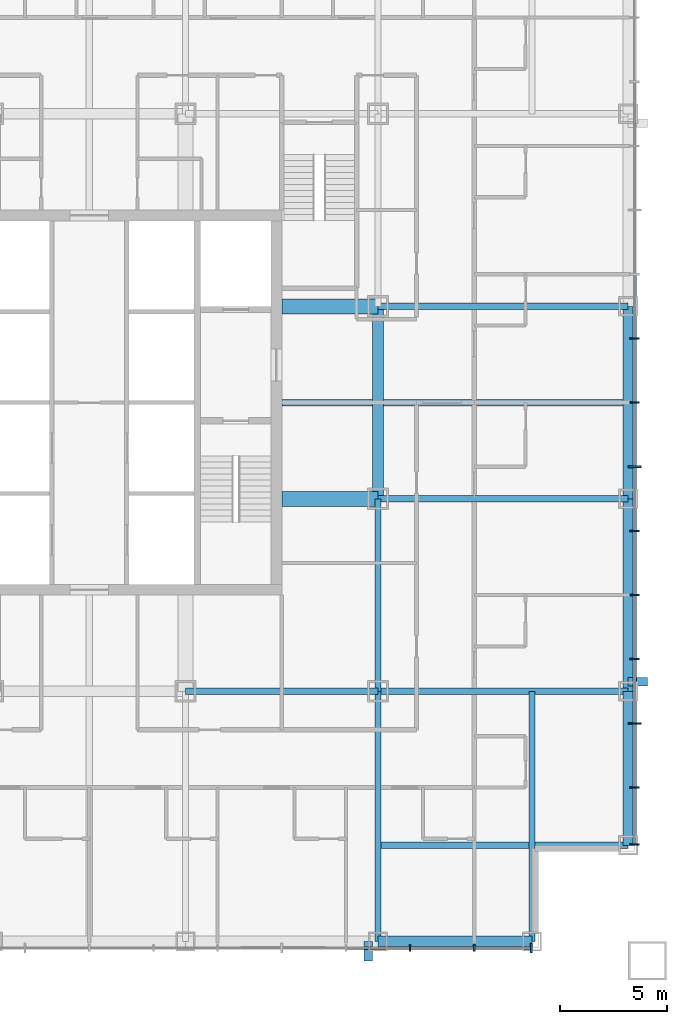
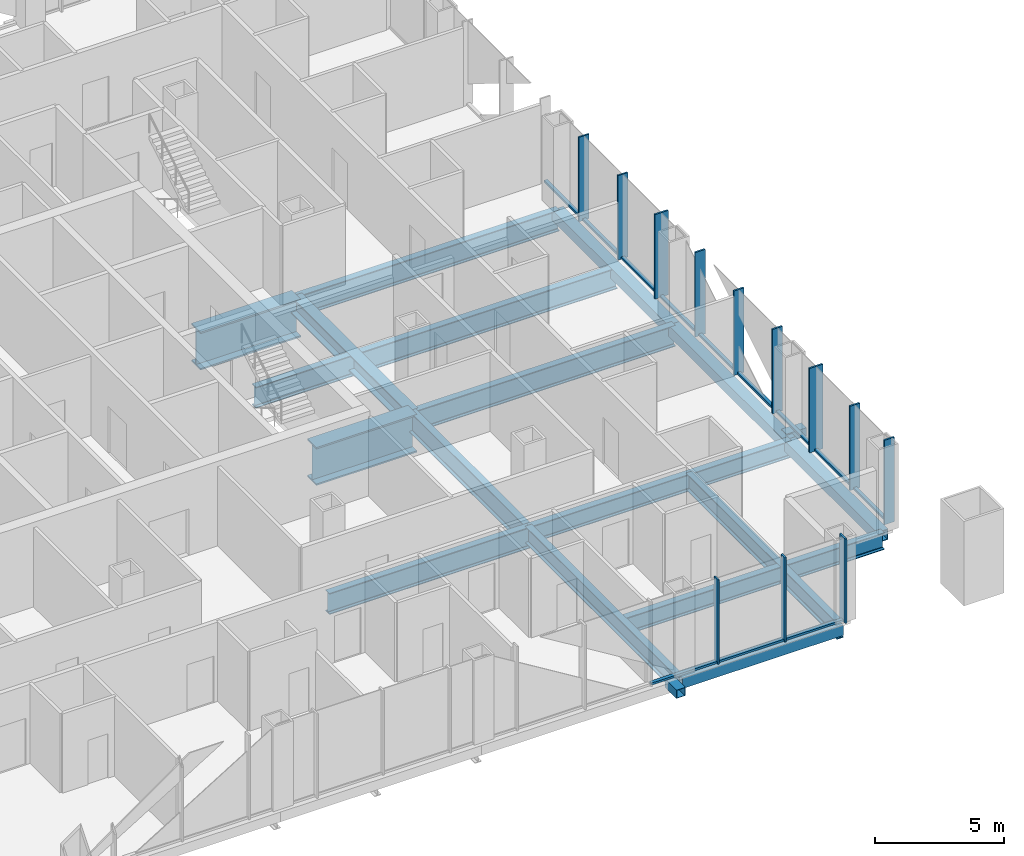
# One storey, part 3 of 14: 26 members, 16 beams, 2 elements without a shape of their own.
"""IFC4 building model written with IfcOpenShell, lengths in metres."""

from ifc_helpers import new_model, si_unit, direction, frame, origin, origin_2d, place, context, subcontext, project, spatial, rectangle, hollow_rectangle, i_section, extrude, material, layer, layer_set, material_profile, profile_set, type_object, element, aggregate, save


model = new_model("IFC4")

# Units and contexts
model_context = context("Model", 3, precision=1e-05, world=origin(), true_north=direction((0.0, 1.0)))
body_context = subcontext(model_context, "Body", "Model", "MODEL_VIEW")
ifc_project = project(units=[si_unit("LENGTHUNIT", "METRE"), si_unit("AREAUNIT", "SQUARE_METRE"), si_unit("VOLUMEUNIT", "CUBIC_METRE"), si_unit("PLANEANGLEUNIT", "RADIAN"), si_unit("MASSUNIT", "GRAM", prefix="KILO")], contexts=[model_context])

# Site, building, storey
site_placement = place(None, origin())
site = spatial("IfcSite", under=ifc_project, at=site_placement, CompositionType="ELEMENT")
building_placement = place(site_placement, origin())
building = spatial("IfcBuilding", under=site, at=building_placement, Name="Malebo Sky Hospital", CompositionType="ELEMENT")
storey_placement = place(building_placement, frame((0.0, 0.0, 71.0)))
storey = spatial("IfcBuildingStorey", under=building, at=storey_placement, Name="L16", CompositionType="ELEMENT", Elevation=71.0)

# Curtain wall, members
ifc_material_1 = material(Name="Anodised aluminium, natural silver", Category="aluminium")
ifc_layer_1 = layer(ifc_material_1, 0.25)
ifc_layer_set_1 = layer_set([ifc_layer_1], Name="WARD CURTAIN WALL NORTH AND SOUTH")
curtain_wall_type_1 = type_object("IfcCurtainWallType", Name="WARD CURTAIN WALL NORTH AND SOUTH", PredefinedType="NOTDEFINED", material=ifc_layer_set_1)
curtain_wall_1_placement = place(storey_placement, origin())
curtain_wall_1 = element("IfcCurtainWall", 1, at=curtain_wall_1_placement, inside=storey, type_object=curtain_wall_type_1, Name="NS curtain wall S", PredefinedType="NOTDEFINED")
ifc_material_profile_1 = material_profile(ifc_material_1, rectangle(XDim=0.14990234375, YDim=0.10009765625, at=origin_2d()), Name="ALUMINIUM TRANSOM 150x100")
ifc_profile_set_1 = profile_set([ifc_material_profile_1], Name="Anodised aluminium, natural silver")
member_type_1 = type_object("IfcMemberType", Name="ALUMINIUM TRANSOM 150x100", PredefinedType="USERDEFINED", material=ifc_profile_set_1)
member_1_placement = place(storey_placement, frame((80.625, 36.5, 0.050048828125), z_axis=(-1.0, 0.0, 0.0), x_axis=(0.0, -1.0, 0.0)))
member_1 = element("IfcMember", 2, at=member_1_placement, type_object=member_type_1, Name="Transom 1", ObjectType="TRANSOM", PredefinedType="USERDEFINED", context=body_context, shape_type="SweptSolid", body=[
    extrude(rectangle(XDim=0.14990234375, YDim=0.10009765625, at=origin_2d()), origin(), (0.0, 0.0, 1.0), 2.58740234375),
])
member_2_placement = place(storey_placement, frame((77.96240234375, 36.5, 0.050048828125), z_axis=(-1.0, 0.0, 0.0), x_axis=(0.0, -1.0, 0.0)))
member_2 = element("IfcMember", 3, at=member_2_placement, type_object=member_type_1, Name="Transom 2", ObjectType="TRANSOM", PredefinedType="USERDEFINED", context=body_context, shape_type="SweptSolid", body=[
    extrude(rectangle(XDim=0.14990234375, YDim=0.10009765625, at=origin_2d()), origin(), (0.0, 0.0, 1.0), 2.9248046875),
])
member_3_placement = place(storey_placement, frame((74.96240234375, 36.5, 0.050048828125), z_axis=(-1.0, 0.0, 0.0), x_axis=(0.0, -1.0, 0.0)))
member_3 = element("IfcMember", 4, at=member_3_placement, type_object=member_type_1, Name="Transom 3", ObjectType="TRANSOM", PredefinedType="USERDEFINED", context=body_context, shape_type="SweptSolid", body=[
    extrude(rectangle(XDim=0.14990234375, YDim=0.10009765625, at=origin_2d()), origin(), (0.0, 0.0, 1.0), 2.9248046875),
])

ifc_layer_2 = layer(ifc_material_1, 0.25)
ifc_layer_set_2 = layer_set([ifc_layer_2], Name="WARD CURTAIN WALL EAST AND WEST")
curtain_wall_type_2 = type_object("IfcCurtainWallType", Name="WARD CURTAIN WALL EAST AND WEST", PredefinedType="NOTDEFINED", material=ifc_layer_set_2)
curtain_wall_2_placement = place(storey_placement, origin())
curtain_wall_2 = element("IfcCurtainWall", 5, at=curtain_wall_2_placement, inside=storey, type_object=curtain_wall_type_2, Name="EW curtain wall E", PredefinedType="NOTDEFINED")
member_4_placement = place(storey_placement, frame((85.5, 67.96240234375, 0.050048828125), z_axis=(0.0, -1.0, 0.0), x_axis=(1.0, 0.0, 0.0)))
member_4 = element("IfcMember", 6, at=member_4_placement, type_object=member_type_1, Name="Transom 6", ObjectType="TRANSOM", PredefinedType="USERDEFINED", context=body_context, shape_type="SweptSolid", body=[
    extrude(rectangle(XDim=0.14990234375, YDim=0.10009765625, at=origin_2d()), origin(), (0.0, 0.0, 1.0), 2.9248046875),
])
member_5_placement = place(storey_placement, frame((85.5, 64.96240234375, 0.050048828125), z_axis=(0.0, -1.0, 0.0), x_axis=(1.0, 0.0, 0.0)))
member_5 = element("IfcMember", 7, at=member_5_placement, type_object=member_type_1, Name="Transom 7", ObjectType="TRANSOM", PredefinedType="USERDEFINED", context=body_context, shape_type="SweptSolid", body=[
    extrude(rectangle(XDim=0.14990234375, YDim=0.10009765625, at=origin_2d()), origin(), (0.0, 0.0, 1.0), 2.9248046875),
])
member_6_placement = place(storey_placement, frame((85.5, 61.96240234375, 0.050048828125), z_axis=(0.0, -1.0, 0.0), x_axis=(1.0, 0.0, 0.0)))
member_6 = element("IfcMember", 8, at=member_6_placement, type_object=member_type_1, Name="Transom 8", ObjectType="TRANSOM", PredefinedType="USERDEFINED", context=body_context, shape_type="SweptSolid", body=[
    extrude(rectangle(XDim=0.14990234375, YDim=0.10009765625, at=origin_2d()), origin(), (0.0, 0.0, 1.0), 2.9248046875),
])
member_7_placement = place(storey_placement, frame((85.5, 58.96240234375, 0.050048828125), z_axis=(0.0, -1.0, 0.0), x_axis=(1.0, 0.0, 0.0)))
member_7 = element("IfcMember", 9, at=member_7_placement, type_object=member_type_1, Name="Transom 9", ObjectType="TRANSOM", PredefinedType="USERDEFINED", context=body_context, shape_type="SweptSolid", body=[
    extrude(rectangle(XDim=0.14990234375, YDim=0.10009765625, at=origin_2d()), origin(), (0.0, 0.0, 1.0), 2.9248046875),
])
member_8_placement = place(storey_placement, frame((85.5, 55.96240234375, 0.050048828125), z_axis=(0.0, -1.0, 0.0), x_axis=(1.0, 0.0, 0.0)))
member_8 = element("IfcMember", 10, at=member_8_placement, type_object=member_type_1, Name="Transom 10", ObjectType="TRANSOM", PredefinedType="USERDEFINED", context=body_context, shape_type="SweptSolid", body=[
    extrude(rectangle(XDim=0.14990234375, YDim=0.10009765625, at=origin_2d()), origin(), (0.0, 0.0, 1.0), 2.9248046875),
])
member_9_placement = place(storey_placement, frame((85.5, 52.96240234375, 0.050048828125), z_axis=(0.0, -1.0, 0.0), x_axis=(1.0, 0.0, 0.0)))
member_9 = element("IfcMember", 11, at=member_9_placement, type_object=member_type_1, Name="Transom 11", ObjectType="TRANSOM", PredefinedType="USERDEFINED", context=body_context, shape_type="SweptSolid", body=[
    extrude(rectangle(XDim=0.14990234375, YDim=0.10009765625, at=origin_2d()), origin(), (0.0, 0.0, 1.0), 2.9248046875),
])
member_10_placement = place(storey_placement, frame((85.5, 49.96240234375, 0.050048828125), z_axis=(0.0, -1.0, 0.0), x_axis=(1.0, 0.0, 0.0)))
member_10 = element("IfcMember", 12, at=member_10_placement, type_object=member_type_1, Name="Transom 12", ObjectType="TRANSOM", PredefinedType="USERDEFINED", context=body_context, shape_type="SweptSolid", body=[
    extrude(rectangle(XDim=0.14990234375, YDim=0.10009765625, at=origin_2d()), origin(), (0.0, 0.0, 1.0), 2.9248046875),
])
member_11_placement = place(storey_placement, frame((85.5, 46.96240234375, 0.050048828125), z_axis=(0.0, -1.0, 0.0), x_axis=(1.0, 0.0, 0.0)))
member_11 = element("IfcMember", 13, at=member_11_placement, type_object=member_type_1, Name="Transom 13", ObjectType="TRANSOM", PredefinedType="USERDEFINED", context=body_context, shape_type="SweptSolid", body=[
    extrude(rectangle(XDim=0.14990234375, YDim=0.10009765625, at=origin_2d()), origin(), (0.0, 0.0, 1.0), 2.9248046875),
])
member_12_placement = place(storey_placement, frame((85.5, 43.96240234375, 0.050048828125), z_axis=(0.0, -1.0, 0.0), x_axis=(1.0, 0.0, 0.0)))
member_12 = element("IfcMember", 14, at=member_12_placement, type_object=member_type_1, Name="Transom 14", ObjectType="TRANSOM", PredefinedType="USERDEFINED", context=body_context, shape_type="SweptSolid", body=[
    extrude(rectangle(XDim=0.14990234375, YDim=0.10009765625, at=origin_2d()), origin(), (0.0, 0.0, 1.0), 2.58740234375),
])

# Members
ifc_material_2 = material(Name="Steel S355", Category="steel")
ifc_material_profile_2 = material_profile(ifc_material_2, hollow_rectangle(XDim=0.39990234375, YDim=0.39990234375, WallThickness=0.02001953125, at=origin_2d()), Name="SHS 400x20")
ifc_profile_set_2 = profile_set([ifc_material_profile_2], Name="Steel S355")
member_type_2 = type_object("IfcMemberType", Name="BRACE STRUT SHS 400x20", PredefinedType="STRUT", material=ifc_profile_set_2)
for number, where, z_axis, x_axis, name in (
    (15, (73.050048828125, 35.89990234375, -0.39990234375), (0.0, 1.0, 0.0), (-1.0, 0.0, 0.0), "Brace strut AS2 L16"),
    (16, (86.10009765625, 48.949951171875, -0.39990234375), (-1.0, 0.0, 0.0), (0.0, -1.0, 0.0), "Brace strut AE1 L16"),
):
    element("IfcMember", number, at=place(storey_placement, frame(where, z_axis=z_axis, x_axis=x_axis)), inside=storey, type_object=member_type_2, Name=name, PredefinedType="STRUT", context=body_context, shape_type="SweptSolid", body=[
        extrude(hollow_rectangle(XDim=0.39990234375, YDim=0.39990234375, WallThickness=0.02001953125, at=origin_2d()), origin(), (0.0, 0.0, 1.0), 0.900146484375),
    ])

# Member
ifc_material_profile_3 = material_profile(ifc_material_1, rectangle(XDim=0.074951171875, YDim=0.300048828125, at=origin_2d()), Name="CW1 ALUMINIUM FIN MULLION 75x300")
ifc_profile_set_3 = profile_set([ifc_material_profile_3], Name="Anodised aluminium, natural silver")
member_type_3 = type_object("IfcMemberType", Name="CW1 ALUMINIUM FIN MULLION 75x300", PredefinedType="MULLION", material=ifc_profile_set_3)
member_13_placement = place(storey_placement, frame((78.0, 36.5, 0.0), z_axis=(0.0, 0.0, 1.0), x_axis=(-1.0, 0.0, 0.0)))
member_13 = element("IfcMember", 17, at=member_13_placement, type_object=member_type_3, Name="Fin mullion 2", PredefinedType="MULLION", context=body_context, shape_type="SweptSolid", body=[
    extrude(rectangle(XDim=0.074951171875, YDim=0.300048828125, at=origin_2d()), origin(), (0.0, 0.0, 1.0), 4.0),
])

member_14_placement = place(storey_placement, frame((75.0, 36.5, 0.0), z_axis=(0.0, 0.0, 1.0), x_axis=(-1.0, 0.0, 0.0)))
member_14 = element("IfcMember", 18, at=member_14_placement, type_object=member_type_3, Name="Fin mullion 3", PredefinedType="MULLION", context=body_context, shape_type="SweptSolid", body=[
    extrude(rectangle(XDim=0.074951171875, YDim=0.300048828125, at=origin_2d()), origin(), (0.0, 0.0, 1.0), 4.0),
])

ifc_material_profile_4 = material_profile(ifc_material_1, rectangle(XDim=0.074951171875, YDim=0.449951171875, at=origin_2d()), Name="CW1 ALUMINIUM FIN MULLION 75x450")
ifc_profile_set_4 = profile_set([ifc_material_profile_4], Name="Anodised aluminium, natural silver")
member_type_4 = type_object("IfcMemberType", Name="CW1 ALUMINIUM FIN MULLION 75x450", PredefinedType="MULLION", material=ifc_profile_set_4)
member_15_placement = place(storey_placement, frame((80.66259765625, 36.5, 0.0), z_axis=(0.0, 0.0, 1.0), x_axis=(-1.0, 0.0, 0.0)))
member_15 = element("IfcMember", 19, at=member_15_placement, type_object=member_type_4, Name="Fin mullion 1", PredefinedType="MULLION", context=body_context, shape_type="SweptSolid", body=[
    extrude(rectangle(XDim=0.074951171875, YDim=0.449951171875, at=origin_2d()), origin(), (0.0, 0.0, 1.0), 4.0),
])

aggregate(curtain_wall_1, [member_15, member_13, member_14, member_1, member_2, member_3])

ifc_material_profile_5 = material_profile(ifc_material_1, rectangle(XDim=0.074951171875, YDim=0.449951171875, at=origin_2d()), Name="CW2 ALUMINIUM FIN MULLION 75x450")
ifc_profile_set_5 = profile_set([ifc_material_profile_5], Name="Anodised aluminium, natural silver")
member_type_5 = type_object("IfcMemberType", Name="CW2 ALUMINIUM FIN MULLION 75x450", PredefinedType="MULLION", material=ifc_profile_set_5)
member_16_placement = place(storey_placement, frame((85.5, 65.0, 0.0), z_axis=(0.0, 0.0, 1.0), x_axis=(0.0, -1.0, 0.0)))
member_16 = element("IfcMember", 20, at=member_16_placement, type_object=member_type_5, Name="Fin mullion 7", PredefinedType="MULLION", context=body_context, shape_type="SweptSolid", body=[
    extrude(rectangle(XDim=0.074951171875, YDim=0.449951171875, at=origin_2d()), origin(), (0.0, 0.0, 1.0), 4.0),
])

member_17_placement = place(storey_placement, frame((85.5, 62.0, 0.0), z_axis=(0.0, 0.0, 1.0), x_axis=(0.0, -1.0, 0.0)))
member_17 = element("IfcMember", 21, at=member_17_placement, type_object=member_type_5, Name="Fin mullion 8", PredefinedType="MULLION", context=body_context, shape_type="SweptSolid", body=[
    extrude(rectangle(XDim=0.074951171875, YDim=0.449951171875, at=origin_2d()), origin(), (0.0, 0.0, 1.0), 4.0),
])

member_18_placement = place(storey_placement, frame((85.5, 56.0, 0.0), z_axis=(0.0, 0.0, 1.0), x_axis=(0.0, -1.0, 0.0)))
member_18 = element("IfcMember", 22, at=member_18_placement, type_object=member_type_5, Name="Fin mullion 10", PredefinedType="MULLION", context=body_context, shape_type="SweptSolid", body=[
    extrude(rectangle(XDim=0.074951171875, YDim=0.449951171875, at=origin_2d()), origin(), (0.0, 0.0, 1.0), 4.0),
])

member_19_placement = place(storey_placement, frame((85.5, 53.0, 0.0), z_axis=(0.0, 0.0, 1.0), x_axis=(0.0, -1.0, 0.0)))
member_19 = element("IfcMember", 23, at=member_19_placement, type_object=member_type_5, Name="Fin mullion 11", PredefinedType="MULLION", context=body_context, shape_type="SweptSolid", body=[
    extrude(rectangle(XDim=0.074951171875, YDim=0.449951171875, at=origin_2d()), origin(), (0.0, 0.0, 1.0), 4.0),
])

member_20_placement = place(storey_placement, frame((85.5, 50.0, 0.0), z_axis=(0.0, 0.0, 1.0), x_axis=(0.0, -1.0, 0.0)))
member_20 = element("IfcMember", 24, at=member_20_placement, type_object=member_type_5, Name="Fin mullion 12", PredefinedType="MULLION", context=body_context, shape_type="SweptSolid", body=[
    extrude(rectangle(XDim=0.074951171875, YDim=0.449951171875, at=origin_2d()), origin(), (0.0, 0.0, 1.0), 4.0),
])

member_21_placement = place(storey_placement, frame((85.5, 44.0, 0.0), z_axis=(0.0, 0.0, 1.0), x_axis=(0.0, -1.0, 0.0)))
member_21 = element("IfcMember", 25, at=member_21_placement, type_object=member_type_5, Name="Fin mullion 14", PredefinedType="MULLION", context=body_context, shape_type="SweptSolid", body=[
    extrude(rectangle(XDim=0.074951171875, YDim=0.449951171875, at=origin_2d()), origin(), (0.0, 0.0, 1.0), 4.0),
])

member_22_placement = place(storey_placement, frame((85.5, 41.33740234375, 0.0), z_axis=(0.0, 0.0, 1.0), x_axis=(0.0, -1.0, 0.0)))
member_22 = element("IfcMember", 26, at=member_22_placement, type_object=member_type_5, Name="Fin mullion 15", PredefinedType="MULLION", context=body_context, shape_type="SweptSolid", body=[
    extrude(rectangle(XDim=0.074951171875, YDim=0.449951171875, at=origin_2d()), origin(), (0.0, 0.0, 1.0), 4.0),
])

ifc_material_profile_6 = material_profile(ifc_material_1, rectangle(XDim=0.074951171875, YDim=0.60009765625, at=origin_2d()), Name="CW2 ALUMINIUM FIN MULLION 75x600")
ifc_profile_set_6 = profile_set([ifc_material_profile_6], Name="Anodised aluminium, natural silver")
member_type_6 = type_object("IfcMemberType", Name="CW2 ALUMINIUM FIN MULLION 75x600", PredefinedType="MULLION", material=ifc_profile_set_6)
member_23_placement = place(storey_placement, frame((85.5, 59.0, 0.0), z_axis=(0.0, 0.0, 1.0), x_axis=(0.0, -1.0, 0.0)))
member_23 = element("IfcMember", 27, at=member_23_placement, type_object=member_type_6, Name="Fin mullion 9", PredefinedType="MULLION", context=body_context, shape_type="SweptSolid", body=[
    extrude(rectangle(XDim=0.074951171875, YDim=0.60009765625, at=origin_2d()), origin(), (0.0, 0.0, 1.0), 4.0),
])

member_24_placement = place(storey_placement, frame((85.5, 47.0, 0.0), z_axis=(0.0, 0.0, 1.0), x_axis=(0.0, -1.0, 0.0)))
member_24 = element("IfcMember", 28, at=member_24_placement, type_object=member_type_6, Name="Fin mullion 13", PredefinedType="MULLION", context=body_context, shape_type="SweptSolid", body=[
    extrude(rectangle(XDim=0.074951171875, YDim=0.60009765625, at=origin_2d()), origin(), (0.0, 0.0, 1.0), 4.0),
])

aggregate(curtain_wall_2, [member_16, member_17, member_23, member_18, member_19, member_20, member_24, member_21, member_22, member_4, member_5, member_6, member_7, member_8, member_9, member_10, member_11, member_12])

# Beams
ifc_material_3 = material(Name="Steel S460", Category="steel")
ifc_material_profile_7 = material_profile(ifc_material_3, hollow_rectangle(XDim=0.5, YDim=0.5, WallThickness=0.030029296875, at=origin_2d()), Name="BOX 500x500x30")
ifc_profile_set_7 = profile_set([ifc_material_profile_7], Name="Steel S460")
beam_type_1 = type_object("IfcBeamType", Name="EDGE BEAM BOX 500x500x30", PredefinedType="BEAM", material=ifc_profile_set_7)
beam_1_placement = place(storey_placement, frame((85.199951171875, 41.300048828125, -0.5), z_axis=(0.0, 1.0, 0.0), x_axis=(-1.0, 0.0, 0.0)))
element("IfcBeam", 29, at=beam_1_placement, inside=storey, type_object=beam_type_1, Name="Beam 029 L16", PredefinedType="BEAM", context=body_context, shape_type="SweptSolid", body=[
    extrude(hollow_rectangle(XDim=0.5, YDim=0.5, WallThickness=0.030029296875, at=origin_2d()), origin(), (0.0, 0.0, 1.0), 7.199951171875),
])
for number, where, z_axis, x_axis, name in (
    (30, (85.199951171875, 48.5, -0.5), (0.0, 1.0, 0.0), (-1.0, 0.0, 0.0), "Beam 030 L16"),
    (31, (85.199951171875, 57.5, -0.5), (0.0, 1.0, 0.0), (-1.0, 0.0, 0.0), "Beam 031 L16"),
):
    element("IfcBeam", number, at=place(storey_placement, frame(where, z_axis=z_axis, x_axis=x_axis)), inside=storey, type_object=beam_type_1, Name=name, PredefinedType="BEAM", context=body_context, shape_type="SweptSolid", body=[
        extrude(hollow_rectangle(XDim=0.5, YDim=0.5, WallThickness=0.030029296875, at=origin_2d()), origin(), (0.0, 0.0, 1.0), 9.0),
    ])
beam_2_placement = place(storey_placement, frame((73.5, 36.800048828125, -0.5), z_axis=(1.0, 0.0, 0.0), x_axis=(0.0, 1.0, 0.0)))
element("IfcBeam", 32, at=beam_2_placement, inside=storey, type_object=beam_type_1, Name="Beam 038 L16", PredefinedType="BEAM", context=body_context, shape_type="SweptSolid", body=[
    extrude(hollow_rectangle(XDim=0.5, YDim=0.5, WallThickness=0.030029296875, at=origin_2d()), origin(), (0.0, 0.0, 1.0), 7.199951171875),
])
ifc_material_profile_8 = material_profile(ifc_material_2, i_section(OverallWidth=0.300048828125, OverallDepth=1.0, WebThickness=0.01904296875, FlangeThickness=0.035888671875, FilletRadius=0.030029296875, at=origin_2d()), Name="HEB 1000")
ifc_profile_set_8 = profile_set([ifc_material_profile_8], Name="Steel S355")
beam_type_2 = type_object("IfcBeamType", Name="FLOOR BEAM HEB 1000", PredefinedType="BEAM", material=ifc_profile_set_8)
for number, where, z_axis, x_axis, name in (
    (33, (73.5, 48.5, -0.75), (0.0, 1.0, 0.0), (-1.0, 0.0, 0.0), "Beam 023 L16"),
    (34, (64.5, 48.5, -0.75), (1.0, 0.0, 0.0), (0.0, 1.0, 0.0), "Beam 044 L16"),
):
    element("IfcBeam", number, at=place(storey_placement, frame(where, z_axis=z_axis, x_axis=x_axis)), inside=storey, type_object=beam_type_2, Name=name, PredefinedType="BEAM", context=body_context, shape_type="SweptSolid", body=[
        extrude(i_section(OverallWidth=0.300048828125, OverallDepth=1.0, WebThickness=0.01904296875, FlangeThickness=0.035888671875, FilletRadius=0.030029296875, at=origin_2d()), origin(), (0.0, 0.0, 1.0), 9.0),
    ])
beam_3_placement = place(storey_placement, frame((73.5, 57.5, -0.75), z_axis=(1.0, 0.0, 0.0), x_axis=(0.0, 1.0, 0.0)))
element("IfcBeam", 35, at=beam_3_placement, inside=storey, type_object=beam_type_2, Name="Beam 049 L16", PredefinedType="BEAM", context=body_context, shape_type="SweptSolid", body=[
    extrude(i_section(OverallWidth=0.300048828125, OverallDepth=1.0, WebThickness=0.01904296875, FlangeThickness=0.035888671875, FilletRadius=0.030029296875, at=origin_2d()), origin(), (0.0, 0.0, 1.0), 11.699951171875),
])
beam_4_placement = place(storey_placement, frame((69.0, 62.0, -0.75), z_axis=(1.0, 0.0, 0.0), x_axis=(0.0, 1.0, 0.0)))
element("IfcBeam", 36, at=beam_4_placement, inside=storey, type_object=beam_type_2, Name="Beam 051 L16", PredefinedType="BEAM", context=body_context, shape_type="SweptSolid", body=[
    extrude(i_section(OverallWidth=0.300048828125, OverallDepth=1.0, WebThickness=0.01904296875, FlangeThickness=0.035888671875, FilletRadius=0.030029296875, at=origin_2d()), origin(), (0.0, 0.0, 1.0), 16.199951171875),
])
beam_5_placement = place(storey_placement, frame((73.5, 66.5, -0.75), z_axis=(1.0, 0.0, 0.0), x_axis=(0.0, 1.0, 0.0)))
element("IfcBeam", 37, at=beam_5_placement, inside=storey, type_object=beam_type_2, Name="Beam 055 L16", PredefinedType="BEAM", context=body_context, shape_type="SweptSolid", body=[
    extrude(i_section(OverallWidth=0.300048828125, OverallDepth=1.0, WebThickness=0.01904296875, FlangeThickness=0.035888671875, FilletRadius=0.030029296875, at=origin_2d()), origin(), (0.0, 0.0, 1.0), 11.699951171875),
])
ifc_material_profile_9 = material_profile(ifc_material_2, i_section(OverallWidth=0.300048828125, OverallDepth=0.800048828125, WebThickness=0.017578125, FlangeThickness=0.032958984375, FilletRadius=0.030029296875, at=origin_2d()), Name="HEB 800")
ifc_profile_set_9 = profile_set([ifc_material_profile_9], Name="Steel S355")
beam_type_3 = type_object("IfcBeamType", Name="FLOOR BEAM HEB 800", PredefinedType="BEAM", material=ifc_profile_set_9)
for number, where, z_axis, x_axis, name in (
    (38, (80.699951171875, 36.800048828125, -0.64990234375), (0.0, 1.0, 0.0), (-1.0, 0.0, 0.0), "Beam 027 L16"),
    (39, (73.5, 41.300048828125, -0.64990234375), (1.0, 0.0, 0.0), (0.0, 1.0, 0.0), "Beam 040 L16"),
):
    element("IfcBeam", number, at=place(storey_placement, frame(where, z_axis=z_axis, x_axis=x_axis)), inside=storey, type_object=beam_type_3, Name=name, PredefinedType="BEAM", context=body_context, shape_type="SweptSolid", body=[
        extrude(i_section(OverallWidth=0.300048828125, OverallDepth=0.800048828125, WebThickness=0.017578125, FlangeThickness=0.032958984375, FilletRadius=0.030029296875, at=origin_2d()), origin(), (0.0, 0.0, 1.0), 11.699951171875),
    ])
ifc_material_profile_10 = material_profile(ifc_material_2, i_section(OverallWidth=0.699951171875, OverallDepth=1.800048828125, WebThickness=0.034912109375, FlangeThickness=0.070068359375, at=origin_2d()), Name="PG 1800x700x35x70")
ifc_profile_set_10 = profile_set([ifc_material_profile_10], Name="Steel S355")
beam_type_4 = type_object("IfcBeamType", Name="FLOOR BEAM PG 1800x700x35x70", PredefinedType="BEAM", material=ifc_profile_set_10)
for number, where, z_axis, x_axis, name in (
    (40, (69.0, 57.5, -1.14990234375), (1.0, 0.0, 0.0), (0.0, 1.0, 0.0), "Beam 048 L16"),
    (41, (69.0, 66.5, -1.14990234375), (1.0, 0.0, 0.0), (0.0, 1.0, 0.0), "Beam 054 L16"),
):
    element("IfcBeam", number, at=place(storey_placement, frame(where, z_axis=z_axis, x_axis=x_axis)), inside=storey, type_object=beam_type_4, Name=name, PredefinedType="BEAM", context=body_context, shape_type="SweptSolid", body=[
        extrude(i_section(OverallWidth=0.699951171875, OverallDepth=1.800048828125, WebThickness=0.034912109375, FlangeThickness=0.070068359375, at=origin_2d()), origin(), (0.0, 0.0, 1.0), 4.5),
    ])
ifc_material_profile_11 = material_profile(ifc_material_2, i_section(OverallWidth=0.300048828125, OverallDepth=0.800048828125, WebThickness=0.017578125, FlangeThickness=0.032958984375, FilletRadius=0.030029296875, at=origin_2d()), Name="HEB 800")
ifc_profile_set_11 = profile_set([ifc_material_profile_11], Name="Steel S355")
beam_type_5 = type_object("IfcBeamType", Name="FLOOR GIRDER HEB 800", PredefinedType="BEAM", material=ifc_profile_set_11)
for number, where, z_axis, x_axis, name in (
    (42, (73.5, 36.800048828125, -0.64990234375), (0.0, 1.0, 0.0), (-1.0, 0.0, 0.0), "Beam 022 L16"),
    (43, (73.5, 48.5, -0.64990234375), (1.0, 0.0, 0.0), (0.0, 1.0, 0.0), "Beam 045 L16"),
):
    element("IfcBeam", number, at=place(storey_placement, frame(where, z_axis=z_axis, x_axis=x_axis)), inside=storey, type_object=beam_type_5, Name=name, PredefinedType="BEAM", context=body_context, shape_type="SweptSolid", body=[
        extrude(i_section(OverallWidth=0.300048828125, OverallDepth=0.800048828125, WebThickness=0.017578125, FlangeThickness=0.032958984375, FilletRadius=0.030029296875, at=origin_2d()), origin(), (0.0, 0.0, 1.0), 11.699951171875),
    ])
ifc_material_profile_12 = material_profile(ifc_material_2, i_section(OverallWidth=0.5, OverallDepth=0.800048828125, WebThickness=0.030029296875, FlangeThickness=0.050048828125, at=origin_2d()), Name="PG 800x500x30x50")
ifc_profile_set_12 = profile_set([ifc_material_profile_12], Name="Steel S355")
beam_type_6 = type_object("IfcBeamType", Name="RING GIRDER PG 800x500x30x50", PredefinedType="BEAM", material=ifc_profile_set_12)
beam_6_placement = place(storey_placement, frame((73.5, 57.5, -0.64990234375), z_axis=(0.0, 1.0, 0.0), x_axis=(-1.0, 0.0, 0.0)))
element("IfcBeam", 44, at=beam_6_placement, inside=storey, type_object=beam_type_6, Name="Beam 024 L16", PredefinedType="BEAM", context=body_context, shape_type="SweptSolid", body=[
    extrude(i_section(OverallWidth=0.5, OverallDepth=0.800048828125, WebThickness=0.030029296875, FlangeThickness=0.050048828125, at=origin_2d()), origin(), (0.0, 0.0, 1.0), 9.0),
])

save(model, "model.ifc")
